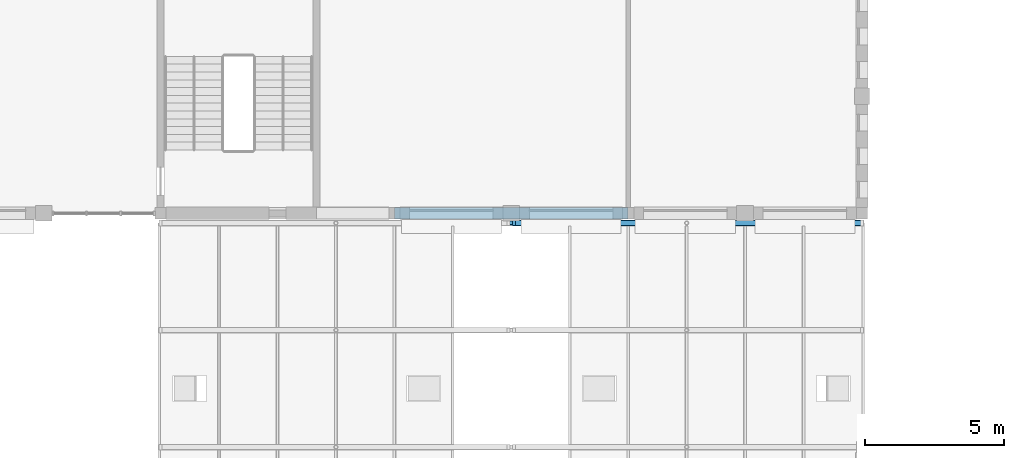
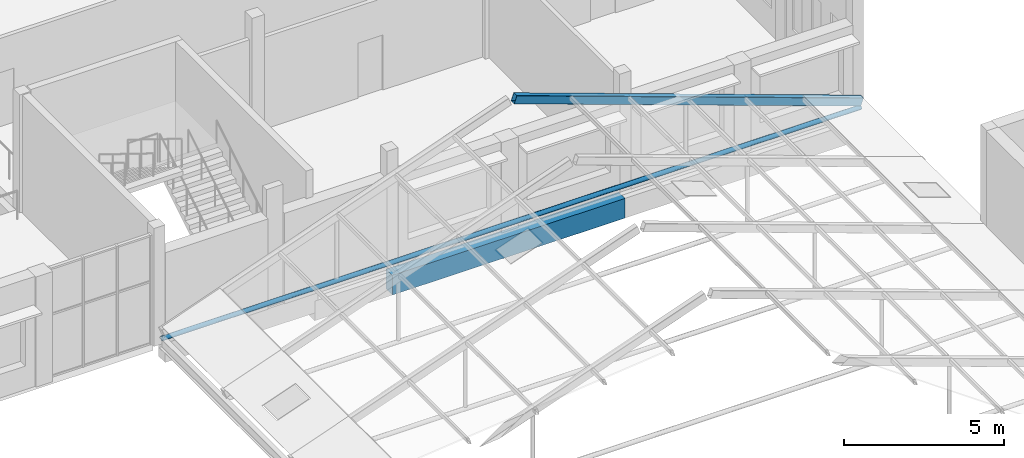
# One storey, part 73 of 116: 2 members, 1 beam.
"""IFC4 building model written with IfcOpenShell, lengths in metres."""

from ifc_helpers import new_model, si_unit, direction, frame, origin, origin_2d, place, context, subcontext, project, spatial, rectangle, hollow_rectangle, hollow_circle, extrude, material, material_profile, profile_set, type_object, element, save


model = new_model("IFC4")

# Units and contexts
model_context = context("Model", 3, precision=1e-05, world=origin(), true_north=direction((0.0, 1.0)))
body_context = subcontext(model_context, "Body", "Model", "MODEL_VIEW")
ifc_project = project(units=[si_unit("LENGTHUNIT", "METRE"), si_unit("AREAUNIT", "SQUARE_METRE"), si_unit("VOLUMEUNIT", "CUBIC_METRE"), si_unit("PLANEANGLEUNIT", "RADIAN"), si_unit("MASSUNIT", "GRAM", prefix="KILO")], contexts=[model_context])

# Site, building, storey
site_placement = place(None, origin())
site = spatial("IfcSite", under=ifc_project, at=site_placement, CompositionType="ELEMENT")
building_placement = place(site_placement, origin())
building = spatial("IfcBuilding", under=site, at=building_placement, Name="Fescue Hill Polytechnic", CompositionType="ELEMENT")
storey_placement = place(building_placement, frame((0.0, 0.0, 13.5)))
storey = spatial("IfcBuildingStorey", under=building, at=storey_placement, Name="L03", CompositionType="ELEMENT", Elevation=13.5)

# Beam
ifc_material_1 = material(Name="Concrete 35 MPa", Category="concrete")
ifc_material_profile_1 = material_profile(ifc_material_1, rectangle(XDim=0.39990234375, YDim=0.75, at=origin_2d()), Name="RC 400x750")
ifc_profile_set_1 = profile_set([ifc_material_profile_1], Name="Concrete 35 MPa")
beam_type = type_object("IfcBeamType", Name="Beam RC 400x750", PredefinedType="BEAM", material=ifc_profile_set_1)
beam_placement = place(storey_placement, frame((100.800048828125, 109.199951171875, -0.675048828125), z_axis=(1.0, 0.0, 0.0), x_axis=(0.0, 1.0, 0.0)))
element("IfcBeam", 1, at=beam_placement, inside=storey, type_object=beam_type, Name="BM-L03-0109", PredefinedType="BEAM", context=body_context, shape_type="SweptSolid", body=[
    extrude(rectangle(XDim=0.39990234375, YDim=0.75, at=origin_2d()), origin(), (0.0, 0.0, 1.0), 8.39990234375),
])

# Members
ifc_material_2 = material(Name="Steel 350W (350 MPa)", Category="steel")
ifc_material_profile_2 = material_profile(ifc_material_2, hollow_rectangle(XDim=0.203125, YDim=0.3046875, WallThickness=0.009521484375, InnerFilletRadius=0.009521484375, OuterFilletRadius=0.01904296875, at=origin_2d()), Name="Winter garden rafter HSS 305x203x9.5")
ifc_profile_set_2 = profile_set([ifc_material_profile_2], Name="Steel 350W (350 MPa)")
member_type_1 = type_object("IfcMemberType", Name="Winter garden rafter HSS 305x203x9.5", PredefinedType="RAFTER", material=ifc_profile_set_2)
member_1_placement = place(storey_placement, frame((117.60009765625, 108.85009765625, 0.578857421875), z_axis=(-0.941740247025, 0.0, 0.336341057756), x_axis=(0.0, -1.0, 0.0)))
element("IfcMember", 2, at=member_1_placement, inside=storey, type_object=member_type_1, Name="Winter garden rafter E15", PredefinedType="RAFTER", context=body_context, shape_type="SweptSolid", body=[
    extrude(hollow_rectangle(XDim=0.203125, YDim=0.3046875, WallThickness=0.009521484375, InnerFilletRadius=0.009521484375, OuterFilletRadius=0.01904296875, at=origin_2d()), origin(), (0.0, 0.0, 1.0), 13.273193359375),
])
ifc_material_profile_3 = material_profile(ifc_material_2, hollow_circle(Radius=0.084228515625, WallThickness=0.009521484375, at=origin_2d()), Name="Winter garden tie CHS 168x9.5")
ifc_profile_set_3 = profile_set([ifc_material_profile_3], Name="Steel 350W (350 MPa)")
member_type_2 = type_object("IfcMemberType", Name="Winter garden tie CHS 168x9.5", PredefinedType="STRUT", material=ifc_profile_set_3)
member_2_placement = place(storey_placement, frame((92.39990234375, 108.85009765625, 0.332763671875), z_axis=(1.0, 0.0, 0.0), x_axis=(0.0, 1.0, 0.0)))
element("IfcMember", 3, at=member_2_placement, inside=storey, type_object=member_type_2, Name="Winter garden tie 15", PredefinedType="STRUT", context=body_context, shape_type="SweptSolid", body=[
    extrude(hollow_circle(Radius=0.084228515625, WallThickness=0.009521484375, at=origin_2d()), origin(), (0.0, 0.0, 1.0), 25.2001953125),
])

save(model, "model.ifc")
